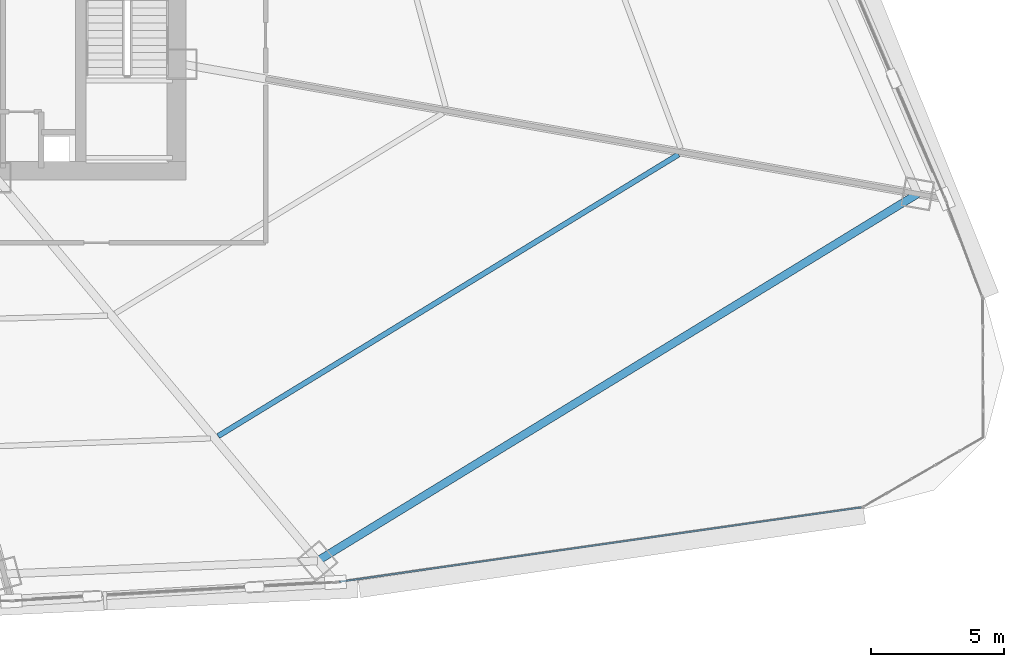
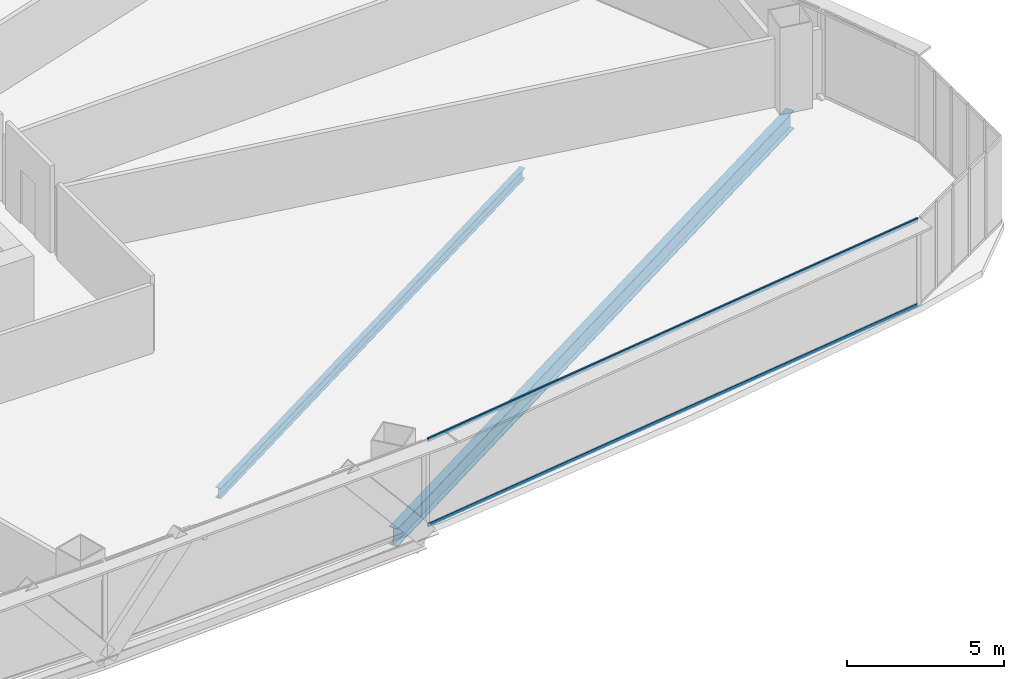
# One storey, part 21 of 41: 2 beams, 2 members, 1 element without a shape of its own.
"""IFC4 building model written with IfcOpenShell, lengths in metres."""

from ifc_helpers import new_model, si_unit, direction, frame, origin, origin_2d, place, context, subcontext, project, spatial, hollow_rectangle, i_section, extrude, source, transform, mapped, material, layer, layer_set, material_profile, profile_set, type_object, element, aggregate, save


model = new_model("IFC4")

# Units and contexts
model_context = context("Model", 3, precision=1e-05, world=origin(), true_north=direction((0.0, 1.0)))
body_context = subcontext(model_context, "Body", "Model", "MODEL_VIEW")
ifc_project = project(units=[si_unit("LENGTHUNIT", "METRE"), si_unit("AREAUNIT", "SQUARE_METRE"), si_unit("VOLUMEUNIT", "CUBIC_METRE"), si_unit("PLANEANGLEUNIT", "RADIAN"), si_unit("MASSUNIT", "GRAM", prefix="KILO"), si_unit("THERMODYNAMICTEMPERATUREUNIT", "KELVIN"), si_unit("POWERUNIT", "WATT")], contexts=[model_context])

# Site, building, storey
site_placement = place(None, origin())
site = spatial("IfcSite", under=ifc_project, at=site_placement, CompositionType="ELEMENT")
building_placement = place(site_placement, origin())
building = spatial("IfcBuilding", under=site, at=building_placement, Name="Yunzhuo Pagoda Commons", CompositionType="ELEMENT")
storey_placement = place(building_placement, frame((0.0, 0.0, 63.070068359375)))
storey = spatial("IfcBuildingStorey", under=building, at=storey_placement, Name="L16", CompositionType="ELEMENT", Elevation=63.070068359375)

# Beams
ifc_material_1 = material(Name="Structural steel Q355B", Category="steel")
ifc_material_profile_1 = material_profile(ifc_material_1, i_section(OverallWidth=0.300048828125, OverallDepth=0.699951171875, WebThickness=0.012939453125, FlangeThickness=0.02392578125, at=origin_2d()), Name="Structural steel Q355B")
ifc_profile_set_1 = profile_set([ifc_material_profile_1], Name="Structural steel Q355B")
beam_type_1 = type_object("IfcBeamType", Name="B-RG1 Beam HN 700x300x13x24", PredefinedType="BEAM", material=ifc_profile_set_1)
shared_shape_1 = source(origin(), body_context, "Body", "SweptSolid", [
    extrude(i_section(OverallWidth=0.300048828125, OverallDepth=0.699951171875, WebThickness=0.012939453125, FlangeThickness=0.02392578125, at=origin_2d()), origin(), (0.0, 0.0, 1.0), 26.432373046875),
])
beam_1_placement = place(storey_placement, frame((65.5, 12.844482421875, -0.610107421875), z_axis=(0.853031728928, 0.521859051318, 0.0), x_axis=(-0.521859051318, 0.853031728928, 0.0)))
element("IfcBeam", 1, at=beam_1_placement, inside=storey, type_object=beam_type_1, Name="L16 column-ring beam 4", PredefinedType="BEAM", context=body_context, shape_type="MappedRepresentation", body=[
    mapped(shared_shape_1, transform((0.0, 0.0, 0.0), scale=1.0)),
])
ifc_material_profile_2 = material_profile(ifc_material_1, i_section(OverallWidth=0.199951171875, OverallDepth=0.39990234375, WebThickness=0.008056640625, FlangeThickness=0.012939453125, at=origin_2d()), Name="Structural steel Q355B")
ifc_profile_set_2 = profile_set([ifc_material_profile_2], Name="Structural steel Q355B")
beam_type_2 = type_object("IfcBeamType", Name="B-JS1 Joist HN 400x200x8x13", PredefinedType="JOIST", material=ifc_profile_set_2)
shared_shape_2 = source(origin(), body_context, "Body", "SweptSolid", [
    extrude(i_section(OverallWidth=0.199951171875, OverallDepth=0.39990234375, WebThickness=0.008056640625, FlangeThickness=0.012939453125, at=origin_2d()), origin(), (0.0, 0.0, 1.0), 20.275634765625),
])
beam_2_placement = place(storey_placement, frame((61.767578125, 17.537109375, -0.4599609375), z_axis=(0.853102898066, 0.521742700295, 0.0), x_axis=(-0.521742700295, 0.853102898066, 0.0)))
element("IfcBeam", 2, at=beam_2_placement, inside=storey, type_object=beam_type_2, Name="L16 composite ring joist 2.4", PredefinedType="JOIST", context=body_context, shape_type="MappedRepresentation", body=[
    mapped(shared_shape_2, transform((0.0, 0.0, 0.0), scale=1.0)),
])

# Curtain wall, members
ifc_material_2 = material(Name="Anodized aluminium 6063-T6", Category="aluminium")
ifc_layer = layer(ifc_material_2, 0.1650390625)
ifc_layer_set = layer_set([ifc_layer], Name="Anodized aluminium 6063-T6")
curtain_wall_type = type_object("IfcCurtainWallType", Name="CW-LOW Low-Zone Ribbon Curtain Wall", PredefinedType="NOTDEFINED", material=ifc_layer_set)
curtain_wall_placement = place(storey_placement, origin())
curtain_wall = element("IfcCurtainWall", 3, at=curtain_wall_placement, inside=storey, type_object=curtain_wall_type, Name="L16 curtain wall CW-L16-F1B5", PredefinedType="NOTDEFINED")
ifc_material_profile_3 = material_profile(ifc_material_2, hollow_rectangle(XDim=0.06005859375, YDim=0.139892578125, WallThickness=0.00341796875, at=origin_2d()), Name="Anodized aluminium 6063-T6")
ifc_profile_set_3 = profile_set([ifc_material_profile_3], Name="Anodized aluminium 6063-T6")
member_type = type_object("IfcMemberType", Name="CW-LOW-T Transom RHS 140x60x3.5", PredefinedType="USERDEFINED", material=ifc_profile_set_3)
shared_shape_3 = source(origin(), body_context, "Body", "SweptSolid", [
    extrude(hollow_rectangle(XDim=0.06005859375, YDim=0.139892578125, WallThickness=0.00341796875, at=origin_2d()), origin(), (0.0, 0.0, 1.0), 19.814697265625),
])
member_1_placement = place(storey_placement, frame((66.3134765625, 12.06005859375, 0.030029296875), z_axis=(0.989991588028, 0.141126381775, 0.0), x_axis=(-0.141126381775, 0.989991588028, 0.0)))
member_1 = element("IfcMember", 4, at=member_1_placement, type_object=member_type, Name="CW transom 1.1", ObjectType="TRANSOM", PredefinedType="USERDEFINED", context=body_context, shape_type="MappedRepresentation", body=[
    mapped(shared_shape_3, transform((0.0, 0.0, 0.0), scale=1.0)),
])
member_2_placement = place(storey_placement, frame((66.3134765625, 12.06005859375, 3.33984375), z_axis=(0.989991588028, 0.141126381775, 0.0), x_axis=(-0.141126381775, 0.989991588028, 0.0)))
member_2 = element("IfcMember", 5, at=member_2_placement, type_object=member_type, Name="CW transom 1.2", ObjectType="TRANSOM", PredefinedType="USERDEFINED", context=body_context, shape_type="MappedRepresentation", body=[
    mapped(shared_shape_3, transform((0.0, 0.0, 0.0), scale=1.0)),
])
aggregate(curtain_wall, [member_1, member_2])

save(model, "model.ifc")
